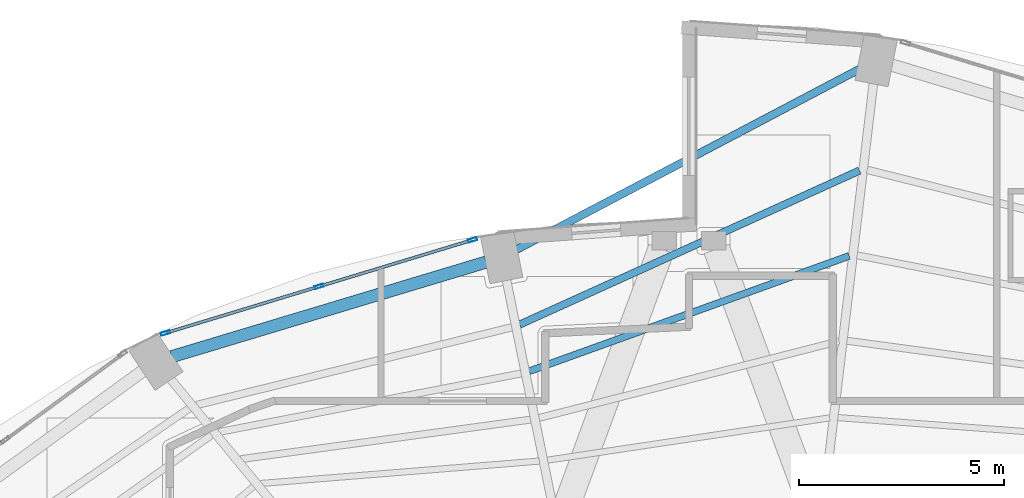
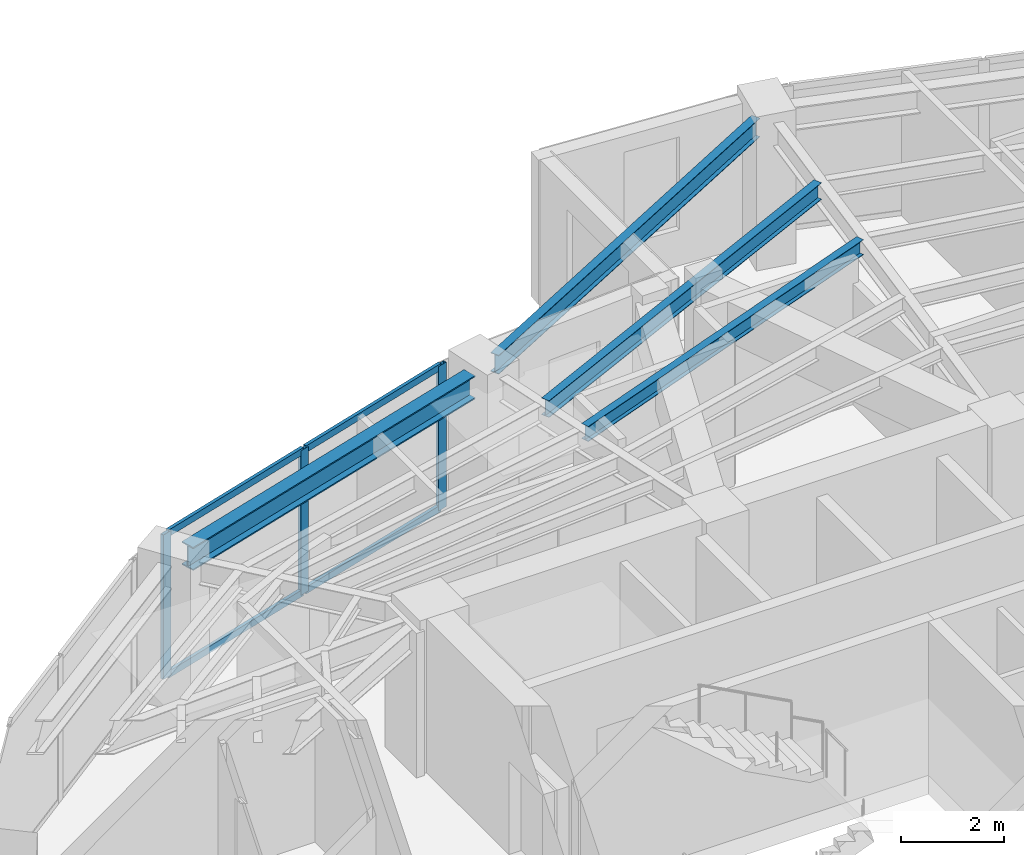
# One storey, part 12 of 20: 7 members, 4 beams, 1 element without a shape of its own.
"""IFC4 building model written with IfcOpenShell, lengths in metres."""

from ifc_helpers import new_model, si_unit, direction, frame, origin, origin_2d, place, context, subcontext, project, spatial, hollow_rectangle, i_section, extrude, material, layer, layer_set, material_profile, profile_set, type_object, element, aggregate, save


model = new_model("IFC4")

# Units and contexts
model_context = context("Model", 3, precision=1e-05, world=origin(), true_north=direction((0.0, 1.0)))
body_context = subcontext(model_context, "Body", "Model", "MODEL_VIEW")
ifc_project = project(units=[si_unit("LENGTHUNIT", "METRE"), si_unit("AREAUNIT", "SQUARE_METRE"), si_unit("VOLUMEUNIT", "CUBIC_METRE"), si_unit("PLANEANGLEUNIT", "RADIAN"), si_unit("MASSUNIT", "GRAM", prefix="KILO")], contexts=[model_context])

# Site, building, storey
site_placement = place(None, origin())
site = spatial("IfcSite", under=ifc_project, at=site_placement, CompositionType="ELEMENT")
building_placement = place(site_placement, origin())
building = spatial("IfcBuilding", under=site, at=building_placement, Name="Lazwardi Medical Tower", CompositionType="ELEMENT")
storey_placement = place(building_placement, frame((0.0, 0.0, 138.2880859375)))
storey = spatial("IfcBuildingStorey", under=building, at=storey_placement, Name="L35", CompositionType="ELEMENT", Elevation=138.2880859375)

# Beams
ifc_material_1 = material(Name="Steel S355", Category="steel")
ifc_material_profile_1 = material_profile(ifc_material_1, i_section(OverallWidth=0.300048828125, OverallDepth=0.550048828125, WebThickness=0.014892578125, FlangeThickness=0.029052734375, at=origin_2d()), Name="HEB 550")
ifc_profile_set_1 = profile_set([ifc_material_profile_1], Name="Steel S355")
beam_type_1 = type_object("IfcBeamType", Name="BM-RB-Z3", PredefinedType="BEAM", material=ifc_profile_set_1)
beam_1_placement = place(storey_placement, frame((31.056884765625, 42.133544921875, 3.15283203125), z_axis=(-0.957616873483, -0.288045002771, 0.0), x_axis=(0.288045002771, -0.957616873483, 0.0)))
element("IfcBeam", 1, at=beam_1_placement, inside=storey, type_object=beam_type_1, Name="Ring beam RB-04 B09 L35", PredefinedType="BEAM", context=body_context, shape_type="SweptSolid", body=[
    extrude(i_section(OverallWidth=0.300048828125, OverallDepth=0.550048828125, WebThickness=0.014892578125, FlangeThickness=0.029052734375, at=origin_2d()), origin(), (0.0, 0.0, 1.0), 7.99951171875),
])
ifc_material_profile_2 = material_profile(ifc_material_1, i_section(OverallWidth=0.179931640625, OverallDepth=0.39990234375, WebThickness=0.008544921875, FlangeThickness=0.013427734375, at=origin_2d()), Name="IPE 400")
ifc_profile_set_2 = profile_set([ifc_material_profile_2], Name="Steel S355")
beam_type_2 = type_object("IfcBeamType", Name="BM-SJ-01", PredefinedType="JOIST", material=ifc_profile_set_2)
beam_2_placement = place(storey_placement, frame((40.155029296875, 44.3642578125, 3.22802734375), z_axis=(-0.910834000674, -0.412772846995, 0.0), x_axis=(0.412772846995, -0.910834000674, 0.0)))
element("IfcBeam", 2, at=beam_2_placement, inside=storey, type_object=beam_type_2, Name="Secondary joist SJ-01 R1 B08 L35", PredefinedType="JOIST", context=body_context, shape_type="SweptSolid", body=[
    extrude(i_section(OverallWidth=0.179931640625, OverallDepth=0.39990234375, WebThickness=0.008544921875, FlangeThickness=0.013427734375, at=origin_2d()), origin(), (0.0, 0.0, 1.0), 9.09130859375),
])
ifc_material_profile_3 = material_profile(ifc_material_1, i_section(OverallWidth=0.169921875, OverallDepth=0.360107421875, WebThickness=0.008056640625, FlangeThickness=0.0126953125, at=origin_2d()), Name="IPE 360")
ifc_profile_set_3 = profile_set([ifc_material_profile_3], Name="Steel S355")
beam_type_3 = type_object("IfcBeamType", Name="BM-SJ-02", PredefinedType="JOIST", material=ifc_profile_set_3)
beam_3_placement = place(storey_placement, frame((39.904052734375, 42.284423828125, 3.247802734375), z_axis=(-0.940747993319, -0.339106492221, 0.0), x_axis=(0.339106492221, -0.940747993319, 0.0)))
element("IfcBeam", 3, at=beam_3_placement, inside=storey, type_object=beam_type_3, Name="Secondary joist SJ-02 R2 B08 L35", PredefinedType="JOIST", context=body_context, shape_type="SweptSolid", body=[
    extrude(i_section(OverallWidth=0.169921875, OverallDepth=0.360107421875, WebThickness=0.008056640625, FlangeThickness=0.0126953125, at=origin_2d()), origin(), (0.0, 0.0, 1.0), 8.28662109375),
])
ifc_material_profile_4 = material_profile(ifc_material_1, i_section(OverallWidth=0.18994140625, OverallDepth=0.449951171875, WebThickness=0.009521484375, FlangeThickness=0.0146484375, at=origin_2d()), Name="IPE 450")
ifc_profile_set_4 = profile_set([ifc_material_profile_4], Name="Steel S355")
beam_type_4 = type_object("IfcBeamType", Name="BM-SP-01", PredefinedType="SPANDREL", material=ifc_profile_set_4)
beam_4_placement = place(storey_placement, frame((40.206298828125, 46.862548828125, 3.202880859375), z_axis=(-0.884926578414, -0.465730556026, 0.0), x_axis=(0.465730556026, -0.884926578414, 0.0)))
element("IfcBeam", 4, at=beam_4_placement, inside=storey, type_object=beam_type_4, Name="Spandrel beam SP-01 B08 L35", PredefinedType="SPANDREL", context=body_context, shape_type="SweptSolid", body=[
    extrude(i_section(OverallWidth=0.18994140625, OverallDepth=0.449951171875, WebThickness=0.009521484375, FlangeThickness=0.0146484375, at=origin_2d()), origin(), (0.0, 0.0, 1.0), 9.506591796875),
])

# Curtain wall, members
ifc_material_2 = material(Name="Anodised bronze aluminium and solar control glazing", Category="aluminium")
ifc_layer = layer(ifc_material_2, 0.195068359375)
ifc_layer_set = layer_set([ifc_layer], Name="Anodised bronze aluminium and solar control glazing")
curtain_wall_type = type_object("IfcCurtainWallType", Name="CW-SYS-03", PredefinedType="NOTDEFINED", material=ifc_layer_set)
curtain_wall_placement = place(storey_placement, origin())
curtain_wall = element("IfcCurtainWall", 5, at=curtain_wall_placement, inside=storey, type_object=curtain_wall_type, Name="L35 Unitised bronze curtain wall CW-03", PredefinedType="NOTDEFINED")
ifc_material_3 = material(Name="Anodised bronze aluminium", Category="aluminium")
ifc_material_profile_5 = material_profile(ifc_material_3, hollow_rectangle(XDim=0.074951171875, YDim=0.219970703125, WallThickness=0.00390625, at=origin_2d()), Name="ALU-MULLION 220x75x4")
ifc_profile_set_5 = profile_set([ifc_material_profile_5], Name="Anodised bronze aluminium")
member_type_1 = type_object("IfcMemberType", Name="CW-MUL-01", PredefinedType="MULLION", material=ifc_profile_set_5)
member_1_placement = place(storey_placement, frame((30.72802734375, 42.674072265625, 0.0), z_axis=(0.0, 0.0, 1.0), x_axis=(0.290280785441, -0.956941516292, 0.0)))
member_1 = element("IfcMember", 6, at=member_1_placement, type_object=member_type_1, Name="CW-03 mullion 1", PredefinedType="MULLION", context=body_context, shape_type="SweptSolid", body=[
    extrude(hollow_rectangle(XDim=0.074951171875, YDim=0.219970703125, WallThickness=0.00390625, at=origin_2d()), origin(), (0.0, 0.0, 1.0), 3.427978515625),
])
member_2_placement = place(storey_placement, frame((26.98486328125, 41.538818359375, 0.0), z_axis=(0.0, 0.0, 1.0), x_axis=(0.290280785441, -0.956941516292, 0.0)))
member_2 = element("IfcMember", 7, at=member_2_placement, type_object=member_type_1, Name="CW-03 mullion 2", PredefinedType="MULLION", context=body_context, shape_type="SweptSolid", body=[
    extrude(hollow_rectangle(XDim=0.074951171875, YDim=0.219970703125, WallThickness=0.00390625, at=origin_2d()), origin(), (0.0, 0.0, 1.0), 3.427978515625),
])
member_3_placement = place(storey_placement, frame((23.241943359375, 40.4033203125, 0.0), z_axis=(0.0, 0.0, 1.0), x_axis=(0.290280785441, -0.956941516292, 0.0)))
member_3 = element("IfcMember", 8, at=member_3_placement, type_object=member_type_1, Name="CW-03 mullion 3", PredefinedType="MULLION", context=body_context, shape_type="SweptSolid", body=[
    extrude(hollow_rectangle(XDim=0.074951171875, YDim=0.219970703125, WallThickness=0.00390625, at=origin_2d()), origin(), (0.0, 0.0, 1.0), 3.427978515625),
])
ifc_material_profile_6 = material_profile(ifc_material_3, hollow_rectangle(XDim=0.074951171875, YDim=0.159912109375, WallThickness=0.00390625, at=origin_2d()), Name="ALU-TRANSOM 160x75x4")
ifc_profile_set_6 = profile_set([ifc_material_profile_6], Name="Anodised bronze aluminium")
member_type_2 = type_object("IfcMemberType", Name="CW-TRN-01", PredefinedType="USERDEFINED", material=ifc_profile_set_6)
member_4_placement = place(storey_placement, frame((30.692138671875, 42.663330078125, 0.037353515625), z_axis=(-0.956935517424, -0.290300560612, 0.0), x_axis=(0.290300560612, -0.956935517424, 0.0)))
member_4 = element("IfcMember", 9, at=member_4_placement, type_object=member_type_2, Name="CW-03 transom 1.1", ObjectType="TRANSOM", PredefinedType="USERDEFINED", context=body_context, shape_type="SweptSolid", body=[
    extrude(hollow_rectangle(XDim=0.074951171875, YDim=0.159912109375, WallThickness=0.00390625, at=origin_2d()), origin(), (0.0, 0.0, 1.0), 3.836669921875),
])
member_5_placement = place(storey_placement, frame((30.692138671875, 42.663330078125, 3.390380859375), z_axis=(-0.956935517424, -0.290300560612, 0.0), x_axis=(0.290300560612, -0.956935517424, 0.0)))
member_5 = element("IfcMember", 10, at=member_5_placement, type_object=member_type_2, Name="CW-03 transom 1.2", ObjectType="TRANSOM", PredefinedType="USERDEFINED", context=body_context, shape_type="SweptSolid", body=[
    extrude(hollow_rectangle(XDim=0.074951171875, YDim=0.159912109375, WallThickness=0.00390625, at=origin_2d()), origin(), (0.0, 0.0, 1.0), 3.836669921875),
])
member_6_placement = place(storey_placement, frame((26.948974609375, 41.52783203125, 0.037353515625), z_axis=(-0.956930154175, -0.290318239233, 0.0), x_axis=(0.290318239233, -0.956930154175, 0.0)))
member_6 = element("IfcMember", 11, at=member_6_placement, type_object=member_type_2, Name="CW-03 transom 2.1", ObjectType="TRANSOM", PredefinedType="USERDEFINED", context=body_context, shape_type="SweptSolid", body=[
    extrude(hollow_rectangle(XDim=0.074951171875, YDim=0.159912109375, WallThickness=0.00390625, at=origin_2d()), origin(), (0.0, 0.0, 1.0), 3.83642578125),
])
member_7_placement = place(storey_placement, frame((26.948974609375, 41.52783203125, 3.390380859375), z_axis=(-0.956930154175, -0.290318239233, 0.0), x_axis=(0.290318239233, -0.956930154175, 0.0)))
member_7 = element("IfcMember", 12, at=member_7_placement, type_object=member_type_2, Name="CW-03 transom 2.2", ObjectType="TRANSOM", PredefinedType="USERDEFINED", context=body_context, shape_type="SweptSolid", body=[
    extrude(hollow_rectangle(XDim=0.074951171875, YDim=0.159912109375, WallThickness=0.00390625, at=origin_2d()), origin(), (0.0, 0.0, 1.0), 3.83642578125),
])
aggregate(curtain_wall, [member_1, member_2, member_3, member_4, member_5, member_6, member_7])

save(model, "model.ifc")
